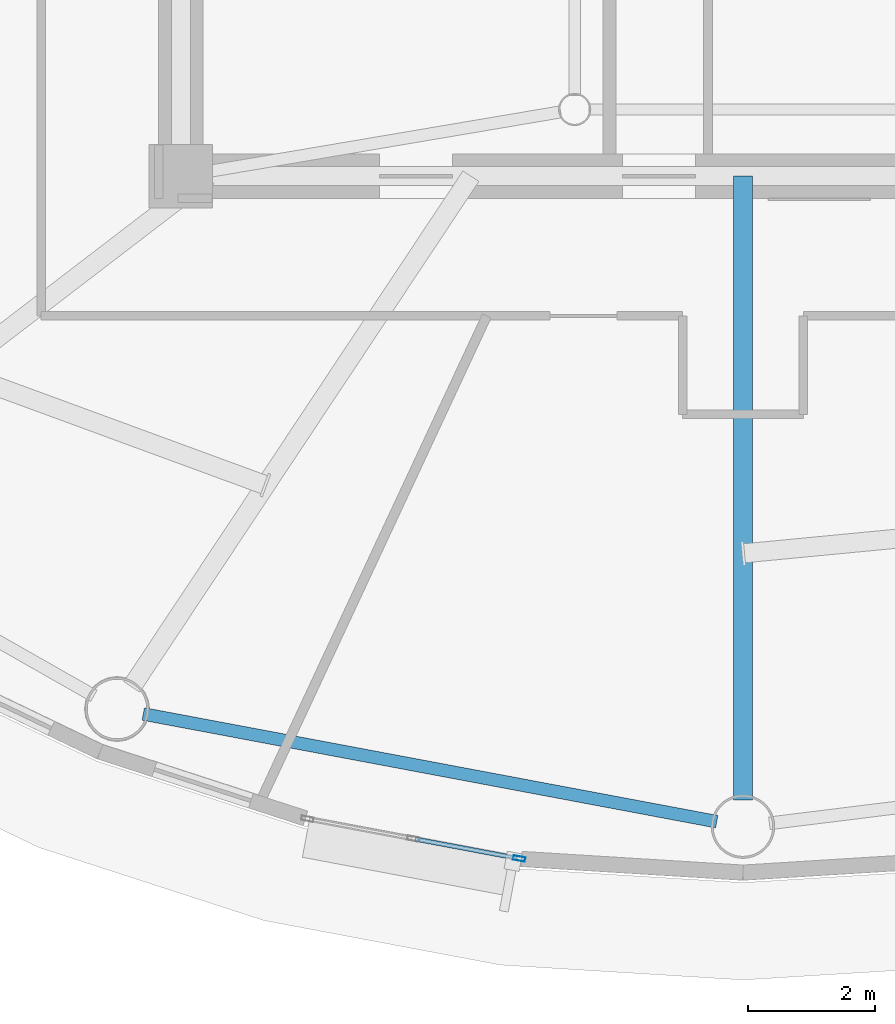
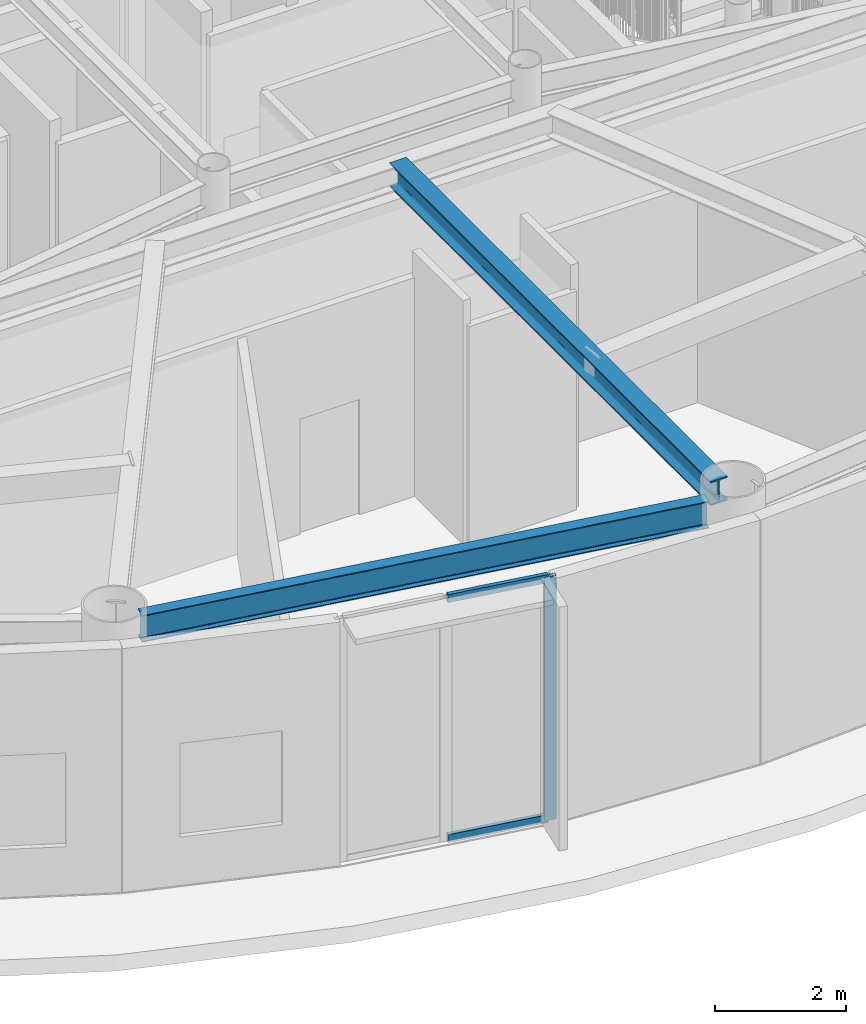
# One storey, part 7 of 32: 3 members, 2 beams, 1 element without a shape of its own.
"""IFC4 building model written with IfcOpenShell, lengths in metres."""

from ifc_helpers import new_model, si_unit, direction, frame, origin, origin_2d, place, context, subcontext, project, spatial, hollow_rectangle, i_section, extrude, source, transform, mapped, material, layer, layer_set, material_profile, profile_set, type_object, element, aggregate, save


model = new_model("IFC4")

# Units and contexts
model_context = context("Model", 3, precision=1e-05, world=origin(), true_north=direction((0.0, 1.0)))
body_context = subcontext(model_context, "Body", "Model", "MODEL_VIEW")
ifc_project = project(units=[si_unit("LENGTHUNIT", "METRE"), si_unit("AREAUNIT", "SQUARE_METRE"), si_unit("VOLUMEUNIT", "CUBIC_METRE"), si_unit("PLANEANGLEUNIT", "RADIAN"), si_unit("MASSUNIT", "GRAM", prefix="KILO")], contexts=[model_context])

# Site, building, storey
site_placement = place(None, origin())
site = spatial("IfcSite", under=ifc_project, at=site_placement, CompositionType="ELEMENT")
building_placement = place(site_placement, origin())
building = spatial("IfcBuilding", under=site, at=building_placement, Name="Linh Dai School and Residence Tower", CompositionType="ELEMENT")
storey_placement = place(building_placement, frame((0.0, 0.0, 268.199951171875)))
storey = spatial("IfcBuildingStorey", under=building, at=storey_placement, Name="L66", CompositionType="ELEMENT", Elevation=268.199951171875)

# Beams
ifc_material_1 = material(Name="Structural Steel S355JR", Category="steel")
ifc_material_profile_1 = material_profile(ifc_material_1, i_section(OverallWidth=0.199951171875, OverallDepth=0.5, WebThickness=0.01025390625, FlangeThickness=0.01611328125, FilletRadius=0.02099609375, at=origin_2d()), Name="IPE 500")
ifc_profile_set_1 = profile_set([ifc_material_profile_1], Name="Structural Steel S355JR")
beam_type_1 = type_object("IfcBeamType", Name="BM-RB50", PredefinedType="BEAM", material=ifc_profile_set_1)
beam_1_placement = place(storey_placement, frame((26.558349609375, 12.083740234375, 4.300048828125), z_axis=(0.982805333306, -0.184644731378, 0.0), x_axis=(0.184644731378, 0.982805333306, 0.0)))
element("IfcBeam", 1, at=beam_1_placement, inside=storey, type_object=beam_type_1, Name="L66 Perimeter Elliptical Ring Beam 12", PredefinedType="BEAM", context=body_context, shape_type="SweptSolid", body=[
    extrude(i_section(OverallWidth=0.199951171875, OverallDepth=0.5, WebThickness=0.01025390625, FlangeThickness=0.01611328125, FilletRadius=0.02099609375, at=origin_2d()), origin(), (0.0, 0.0, 1.0), 9.186767578125),
])
ifc_material_profile_2 = material_profile(ifc_material_1, i_section(OverallWidth=0.300048828125, OverallDepth=0.449951171875, WebThickness=0.013916015625, FlangeThickness=0.02587890625, FilletRadius=0.027099609375, at=origin_2d()), Name="HEB 450")
ifc_profile_set_2 = profile_set([ifc_material_profile_2], Name="Structural Steel S355JR")
beam_type_2 = type_object("IfcBeamType", Name="BM-RG45", PredefinedType="BEAM", material=ifc_profile_set_2)
beam_2_placement = place(storey_placement, frame((36.0, 20.550048828125, 4.324951171875), z_axis=(0.0, -1.0, 0.0), x_axis=(1.0, 0.0, 0.0)))
element("IfcBeam", 2, at=beam_2_placement, inside=storey, type_object=beam_type_2, Name="L66 Primary Radial Floor Girder 13", PredefinedType="BEAM", context=body_context, shape_type="SweptSolid", body=[
    extrude(i_section(OverallWidth=0.300048828125, OverallDepth=0.449951171875, WebThickness=0.013916015625, FlangeThickness=0.02587890625, FilletRadius=0.027099609375, at=origin_2d()), origin(), (0.0, 0.0, 1.0), 9.820068359375),
])

# Curtain wall, members
ifc_material_2 = material(Name="Aluminium Anodised Curtain Wall", Category="aluminium")
ifc_layer = layer(ifc_material_2, 0.18994140625)
ifc_layer_set = layer_set([ifc_layer], Name="Aluminium Anodised Curtain Wall")
curtain_wall_type = type_object("IfcCurtainWallType", Name="CW-SYS-5", PredefinedType="USERDEFINED", material=ifc_layer_set)
curtain_wall_placement = place(storey_placement, origin())
curtain_wall = element("IfcCurtainWall", 3, at=curtain_wall_placement, inside=storey, type_object=curtain_wall_type, Name="L66 CW5 Curtain Wall 29", ObjectType="UNITISED CURTAIN WALL", PredefinedType="USERDEFINED")
ifc_material_3 = material(Name="Aluminium Alloy 6063-T6", Category="aluminium")
ifc_material_profile_3 = material_profile(ifc_material_3, hollow_rectangle(XDim=0.070068359375, YDim=0.18994140625, WallThickness=0.00390625, at=origin_2d()), Name="RHS 190x70x4")
ifc_profile_set_3 = profile_set([ifc_material_profile_3], Name="Aluminium Alloy 6063-T6")
member_type_1 = type_object("IfcMemberType", Name="CW-SYS-5-MUL", PredefinedType="MULLION", material=ifc_profile_set_3)
shared_shape_1 = source(origin(), body_context, "Body", "SweptSolid", [
    extrude(hollow_rectangle(XDim=0.070068359375, YDim=0.18994140625, WallThickness=0.00390625, at=origin_2d()), origin(), (0.0, 0.0, 1.0), 4.550048828125),
])
member_1_placement = place(storey_placement, frame((32.476806640625, 9.806396484375, 0.0), z_axis=(0.0, 0.0, 1.0), x_axis=(-0.184751197452, -0.982785325002, 0.0)))
member_1 = element("IfcMember", 4, at=member_1_placement, type_object=member_type_1, Name="CW5 mullion 1", PredefinedType="MULLION", context=body_context, shape_type="MappedRepresentation", body=[
    mapped(shared_shape_1, transform((0.0, 0.0, 0.0), x_axis=(1.0, 0.0, 0.0), y_axis=(0.0, 1.0, 0.0), z_axis=(0.0, 0.0, 1.0), scale=1.0)),
])
ifc_material_profile_4 = material_profile(ifc_material_3, hollow_rectangle(XDim=0.070068359375, YDim=0.14990234375, WallThickness=0.00390625, at=origin_2d()), Name="RHS 150x70x4")
ifc_profile_set_4 = profile_set([ifc_material_profile_4], Name="Aluminium Alloy 6063-T6")
member_type_2 = type_object("IfcMemberType", Name="CW-SYS-5-TRN", PredefinedType="USERDEFINED", material=ifc_profile_set_4)
shared_shape_2 = source(origin(), body_context, "Body", "SweptSolid", [
    extrude(hollow_rectangle(XDim=0.070068359375, YDim=0.14990234375, WallThickness=0.00390625, at=origin_2d()), origin(), (0.0, 0.0, 1.0), 1.6259765625),
])
member_2_placement = place(storey_placement, frame((32.4423828125, 9.81298828125, 0.03515625), z_axis=(-0.98279560578, 0.184696500399, 0.0), x_axis=(-0.184696500399, -0.98279560578, 0.0)))
member_2 = element("IfcMember", 5, at=member_2_placement, type_object=member_type_2, Name="CW5 transom 1.1", ObjectType="TRANSOM", PredefinedType="USERDEFINED", context=body_context, shape_type="MappedRepresentation", body=[
    mapped(shared_shape_2, transform((0.0, 0.0, 0.0), x_axis=(1.0, 0.0, 0.0), y_axis=(0.0, 1.0, 0.0), z_axis=(0.0, 0.0, 1.0), scale=1.0)),
])
member_3_placement = place(storey_placement, frame((32.4423828125, 9.81298828125, 4.51513671875), z_axis=(-0.98279560578, 0.184696500399, 0.0), x_axis=(-0.184696500399, -0.98279560578, 0.0)))
member_3 = element("IfcMember", 6, at=member_3_placement, type_object=member_type_2, Name="CW5 transom 1.2", ObjectType="TRANSOM", PredefinedType="USERDEFINED", context=body_context, shape_type="MappedRepresentation", body=[
    mapped(shared_shape_2, transform((0.0, 0.0, 0.0), x_axis=(1.0, 0.0, 0.0), y_axis=(0.0, 1.0, 0.0), z_axis=(0.0, 0.0, 1.0), scale=1.0)),
])
aggregate(curtain_wall, [member_1, member_2, member_3])

save(model, "model.ifc")
